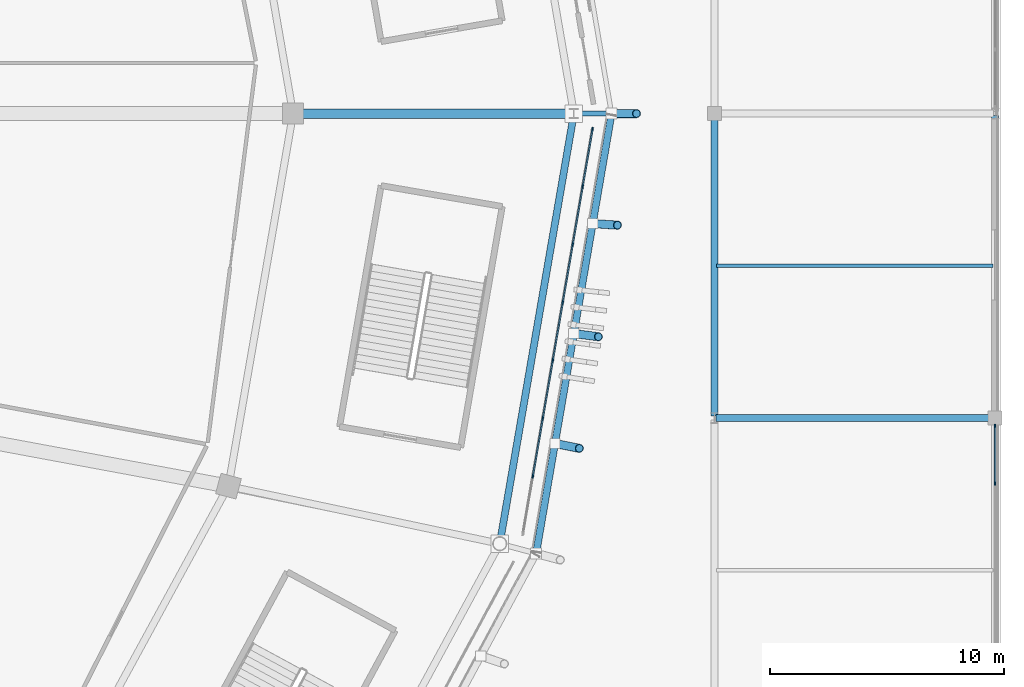
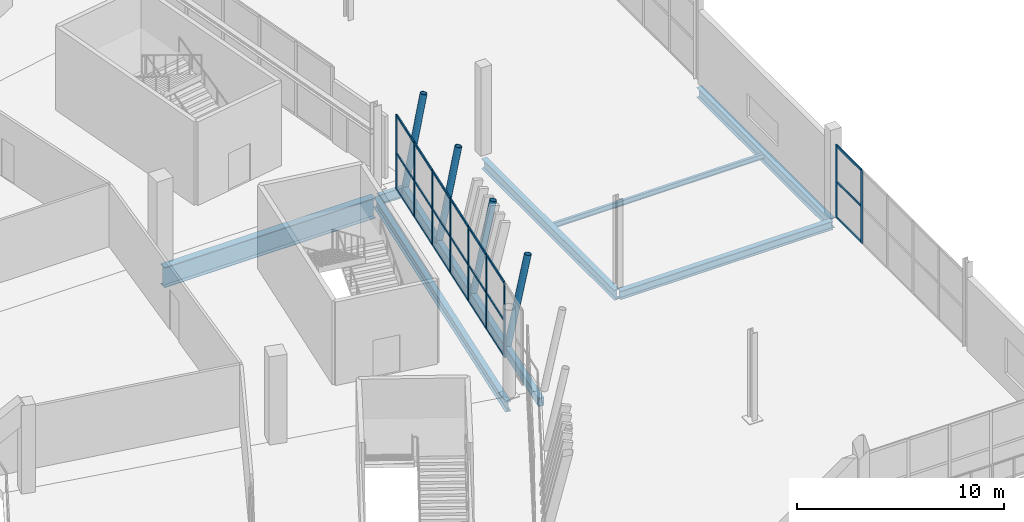
# One storey, part 64 of 178: 34 members, 8 beams, 2 elements without a shape of their own.
"""IFC4 building model written with IfcOpenShell, lengths in metres."""

from ifc_helpers import new_model, si_unit, direction, frame, origin, origin_2d, place, context, subcontext, project, spatial, rectangle, hollow_rectangle, hollow_circle, i_section, extrude, material, material_profile, profile_set, type_object, element, aggregate, save


model = new_model("IFC4")

# Units and contexts
model_context = context("Model", 3, precision=1e-05, world=origin(), true_north=direction((0.0, 1.0)))
body_context = subcontext(model_context, "Body", "Model", "MODEL_VIEW")
ifc_project = project(units=[si_unit("LENGTHUNIT", "METRE"), si_unit("AREAUNIT", "SQUARE_METRE"), si_unit("VOLUMEUNIT", "CUBIC_METRE"), si_unit("PLANEANGLEUNIT", "RADIAN"), si_unit("MASSUNIT", "GRAM", prefix="KILO")], contexts=[model_context])

# Site, building, storey
site_placement = place(None, origin())
site = spatial("IfcSite", under=ifc_project, at=site_placement, CompositionType="ELEMENT")
building_placement = place(site_placement, origin())
building = spatial("IfcBuilding", under=site, at=building_placement, Name="Zlatoyarsky Gate Stadium", CompositionType="ELEMENT")
storey_placement = place(building_placement, frame((0.0, 0.0, 5.39990234375)))
storey = spatial("IfcBuildingStorey", under=building, at=storey_placement, Name="L01", CompositionType="ELEMENT", Elevation=5.39990234375)

# Curtain wall, members
ifc_material_1 = material(Name="Thermally broken anodised aluminium curtain wall", Category="aluminium")
curtain_wall_type_1 = type_object("IfcCurtainWallType", Name="UNITISED HOSPITALITY GLAZING L01", PredefinedType="USERDEFINED", material=ifc_material_1)
curtain_wall_1_placement = place(storey_placement, origin())
curtain_wall_1 = element("IfcCurtainWall", 1, at=curtain_wall_1_placement, inside=storey, type_object=curtain_wall_type_1, Name="Curtain wall CW-L01-23", ObjectType="UNITISED GLAZING", PredefinedType="USERDEFINED")
ifc_material_2 = material(Name="Anodised aluminium 6063-T6", Category="aluminium")
ifc_material_profile_1 = material_profile(ifc_material_2, rectangle(XDim=0.06494140625, YDim=0.159912109375, at=origin_2d()), Name="ALU 65X160")
ifc_profile_set_1 = profile_set([ifc_material_profile_1], Name="Anodised aluminium 6063-T6")
member_type_1 = type_object("IfcMemberType", Name="ALUMINIUM MULLION 65X160", PredefinedType="MULLION", material=ifc_profile_set_1)
member_1_placement = place(storey_placement, frame((202.244384765625, 64.505126953125, 0.0), z_axis=(0.0, 0.0, 1.0), x_axis=(-0.985538549547, 0.169451371657, 0.0)))
member_1 = element("IfcMember", 2, at=member_1_placement, type_object=member_type_1, Name="CW-UG1 mullion 2", PredefinedType="MULLION", context=body_context, shape_type="SweptSolid", body=[
    extrude(rectangle(XDim=0.06494140625, YDim=0.159912109375, at=origin_2d()), origin(), (0.0, 0.0, 1.0), 4.400146484375),
])
member_2_placement = place(storey_placement, frame((202.669921875, 66.980712890625, 0.0), z_axis=(0.0, 0.0, 1.0), x_axis=(-0.985538549547, 0.169451371657, 0.0)))
member_2 = element("IfcMember", 3, at=member_2_placement, type_object=member_type_1, Name="CW-UG1 mullion 3", PredefinedType="MULLION", context=body_context, shape_type="SweptSolid", body=[
    extrude(rectangle(XDim=0.06494140625, YDim=0.159912109375, at=origin_2d()), origin(), (0.0, 0.0, 1.0), 4.400146484375),
])
member_3_placement = place(storey_placement, frame((203.095703125, 69.45654296875, 0.0), z_axis=(0.0, 0.0, 1.0), x_axis=(-0.985538549547, 0.169451371657, 0.0)))
member_3 = element("IfcMember", 4, at=member_3_placement, type_object=member_type_1, Name="CW-UG1 mullion 4", PredefinedType="MULLION", context=body_context, shape_type="SweptSolid", body=[
    extrude(rectangle(XDim=0.06494140625, YDim=0.159912109375, at=origin_2d()), origin(), (0.0, 0.0, 1.0), 4.400146484375),
])
member_4_placement = place(storey_placement, frame((203.521484375, 71.93212890625, 0.0), z_axis=(0.0, 0.0, 1.0), x_axis=(-0.985538549547, 0.169451371657, 0.0)))
member_4 = element("IfcMember", 5, at=member_4_placement, type_object=member_type_1, Name="CW-UG1 mullion 5", PredefinedType="MULLION", context=body_context, shape_type="SweptSolid", body=[
    extrude(rectangle(XDim=0.06494140625, YDim=0.159912109375, at=origin_2d()), origin(), (0.0, 0.0, 1.0), 4.400146484375),
])
member_5_placement = place(storey_placement, frame((203.947021484375, 74.407958984375, 0.0), z_axis=(0.0, 0.0, 1.0), x_axis=(-0.985538549547, 0.169451371657, 0.0)))
member_5 = element("IfcMember", 6, at=member_5_placement, type_object=member_type_1, Name="CW-UG1 mullion 6", PredefinedType="MULLION", context=body_context, shape_type="SweptSolid", body=[
    extrude(rectangle(XDim=0.06494140625, YDim=0.159912109375, at=origin_2d()), origin(), (0.0, 0.0, 1.0), 4.400146484375),
])
member_6_placement = place(storey_placement, frame((204.372802734375, 76.8837890625, 0.0), z_axis=(0.0, 0.0, 1.0), x_axis=(-0.985538549547, 0.169451371657, 0.0)))
member_6 = element("IfcMember", 7, at=member_6_placement, type_object=member_type_1, Name="CW-UG1 mullion 7", PredefinedType="MULLION", context=body_context, shape_type="SweptSolid", body=[
    extrude(rectangle(XDim=0.06494140625, YDim=0.159912109375, at=origin_2d()), origin(), (0.0, 0.0, 1.0), 4.400146484375),
])
member_7_placement = place(storey_placement, frame((204.79296875, 79.327392578125, 0.0), z_axis=(0.0, 0.0, 1.0), x_axis=(-0.985538549547, 0.169451371657, 0.0)))
member_7 = element("IfcMember", 8, at=member_7_placement, type_object=member_type_1, Name="CW-UG1 mullion 8", PredefinedType="MULLION", context=body_context, shape_type="SweptSolid", body=[
    extrude(rectangle(XDim=0.06494140625, YDim=0.159912109375, at=origin_2d()), origin(), (0.0, 0.0, 1.0), 4.400146484375),
])

curtain_wall_type_2 = type_object("IfcCurtainWallType", Name="WINTER GARDEN CONSERVATORY GLAZING", PredefinedType="USERDEFINED", material=ifc_material_1)
curtain_wall_2_placement = place(storey_placement, origin())
curtain_wall_2 = element("IfcCurtainWall", 9, at=curtain_wall_2_placement, inside=storey, type_object=curtain_wall_type_2, Name="Curtain wall CW-V5_EAST-L01-180", ObjectType="UNITISED GLAZING", PredefinedType="USERDEFINED")
member_8_placement = place(storey_placement, frame((222.0, 64.19775390625, 0.0), z_axis=(0.0, 0.0, 1.0), x_axis=(-1.0, 0.0, 0.0)))
member_8 = element("IfcMember", 10, at=member_8_placement, type_object=member_type_1, Name="CW-WG1 mullion 5", PredefinedType="MULLION", context=body_context, shape_type="SweptSolid", body=[
    extrude(rectangle(XDim=0.06494140625, YDim=0.159912109375, at=origin_2d()), origin(), (0.0, 0.0, 1.0), 4.300048828125),
])
member_9_placement = place(storey_placement, frame((222.0, 66.655517578125, 0.0), z_axis=(0.0, 0.0, 1.0), x_axis=(-1.0, 0.0, 0.0)))
member_9 = element("IfcMember", 11, at=member_9_placement, type_object=member_type_1, Name="CW-WG1 mullion 6", PredefinedType="MULLION", context=body_context, shape_type="SweptSolid", body=[
    extrude(rectangle(XDim=0.06494140625, YDim=0.159912109375, at=origin_2d()), origin(), (0.0, 0.0, 1.0), 4.300048828125),
])

# Member
ifc_material_profile_2 = material_profile(ifc_material_2, rectangle(XDim=0.06494140625, YDim=0.139892578125, at=origin_2d()), Name="ALU 65X140")
ifc_profile_set_2 = profile_set([ifc_material_profile_2], Name="Anodised aluminium 6063-T6")
member_type_2 = type_object("IfcMemberType", Name="ALUMINIUM TRANSOM 65X140", PredefinedType="USERDEFINED", material=ifc_profile_set_2)
member_10_placement = place(storey_placement, frame((202.25, 64.537109375, 0.03271484375), z_axis=(0.169412414393, 0.985545246982, 0.0), x_axis=(-0.985545246982, 0.169412414393, 0.0)))
member_10 = element("IfcMember", 12, at=member_10_placement, type_object=member_type_2, Name="CW-UG1 transom 2.1", ObjectType="TRANSOM", PredefinedType="USERDEFINED", context=body_context, shape_type="SweptSolid", body=[
    extrude(rectangle(XDim=0.06494140625, YDim=0.139892578125, at=origin_2d()), origin(), (0.0, 0.0, 1.0), 2.447021484375),
])

member_11_placement = place(storey_placement, frame((202.25, 64.537109375, 2.150146484375), z_axis=(0.169412414393, 0.985545246982, 0.0), x_axis=(-0.985545246982, 0.169412414393, 0.0)))
member_11 = element("IfcMember", 13, at=member_11_placement, type_object=member_type_2, Name="CW-UG1 transom 2.2", ObjectType="TRANSOM", PredefinedType="USERDEFINED", context=body_context, shape_type="SweptSolid", body=[
    extrude(rectangle(XDim=0.06494140625, YDim=0.139892578125, at=origin_2d()), origin(), (0.0, 0.0, 1.0), 2.447021484375),
])

member_12_placement = place(storey_placement, frame((202.25, 64.537109375, 4.36767578125), z_axis=(0.169412414393, 0.985545246982, 0.0), x_axis=(-0.985545246982, 0.169412414393, 0.0)))
member_12 = element("IfcMember", 14, at=member_12_placement, type_object=member_type_2, Name="CW-UG1 transom 2.3", ObjectType="TRANSOM", PredefinedType="USERDEFINED", context=body_context, shape_type="SweptSolid", body=[
    extrude(rectangle(XDim=0.06494140625, YDim=0.139892578125, at=origin_2d()), origin(), (0.0, 0.0, 1.0), 2.447021484375),
])

member_13_placement = place(storey_placement, frame((202.675537109375, 67.0126953125, 0.03271484375), z_axis=(0.169395757758, 0.985548110065, 0.0), x_axis=(-0.985548110065, 0.169395757758, 0.0)))
member_13 = element("IfcMember", 15, at=member_13_placement, type_object=member_type_2, Name="CW-UG1 transom 3.1", ObjectType="TRANSOM", PredefinedType="USERDEFINED", context=body_context, shape_type="SweptSolid", body=[
    extrude(rectangle(XDim=0.06494140625, YDim=0.139892578125, at=origin_2d()), origin(), (0.0, 0.0, 1.0), 2.447265625),
])

member_14_placement = place(storey_placement, frame((202.675537109375, 67.0126953125, 2.150146484375), z_axis=(0.169395757758, 0.985548110065, 0.0), x_axis=(-0.985548110065, 0.169395757758, 0.0)))
member_14 = element("IfcMember", 16, at=member_14_placement, type_object=member_type_2, Name="CW-UG1 transom 3.2", ObjectType="TRANSOM", PredefinedType="USERDEFINED", context=body_context, shape_type="SweptSolid", body=[
    extrude(rectangle(XDim=0.06494140625, YDim=0.139892578125, at=origin_2d()), origin(), (0.0, 0.0, 1.0), 2.447265625),
])

member_15_placement = place(storey_placement, frame((202.675537109375, 67.0126953125, 4.36767578125), z_axis=(0.169395757758, 0.985548110065, 0.0), x_axis=(-0.985548110065, 0.169395757758, 0.0)))
member_15 = element("IfcMember", 17, at=member_15_placement, type_object=member_type_2, Name="CW-UG1 transom 3.3", ObjectType="TRANSOM", PredefinedType="USERDEFINED", context=body_context, shape_type="SweptSolid", body=[
    extrude(rectangle(XDim=0.06494140625, YDim=0.139892578125, at=origin_2d()), origin(), (0.0, 0.0, 1.0), 2.447265625),
])

member_16_placement = place(storey_placement, frame((203.101318359375, 69.488525390625, 0.03271484375), z_axis=(0.169412414393, 0.985545246982, 0.0), x_axis=(-0.985545246982, 0.169412414393, 0.0)))
member_16 = element("IfcMember", 18, at=member_16_placement, type_object=member_type_2, Name="CW-UG1 transom 4.1", ObjectType="TRANSOM", PredefinedType="USERDEFINED", context=body_context, shape_type="SweptSolid", body=[
    extrude(rectangle(XDim=0.06494140625, YDim=0.139892578125, at=origin_2d()), origin(), (0.0, 0.0, 1.0), 2.447021484375),
])

member_17_placement = place(storey_placement, frame((203.101318359375, 69.488525390625, 2.150146484375), z_axis=(0.169412414393, 0.985545246982, 0.0), x_axis=(-0.985545246982, 0.169412414393, 0.0)))
member_17 = element("IfcMember", 19, at=member_17_placement, type_object=member_type_2, Name="CW-UG1 transom 4.2", ObjectType="TRANSOM", PredefinedType="USERDEFINED", context=body_context, shape_type="SweptSolid", body=[
    extrude(rectangle(XDim=0.06494140625, YDim=0.139892578125, at=origin_2d()), origin(), (0.0, 0.0, 1.0), 2.447021484375),
])

member_18_placement = place(storey_placement, frame((203.101318359375, 69.488525390625, 4.36767578125), z_axis=(0.169412414393, 0.985545246982, 0.0), x_axis=(-0.985545246982, 0.169412414393, 0.0)))
member_18 = element("IfcMember", 20, at=member_18_placement, type_object=member_type_2, Name="CW-UG1 transom 4.3", ObjectType="TRANSOM", PredefinedType="USERDEFINED", context=body_context, shape_type="SweptSolid", body=[
    extrude(rectangle(XDim=0.06494140625, YDim=0.139892578125, at=origin_2d()), origin(), (0.0, 0.0, 1.0), 2.447021484375),
])

member_19_placement = place(storey_placement, frame((203.52685546875, 71.96435546875, 0.03271484375), z_axis=(0.16950932017, 0.985528584251, 0.0), x_axis=(-0.985528584251, 0.16950932017, 0.0)))
member_19 = element("IfcMember", 21, at=member_19_placement, type_object=member_type_2, Name="CW-UG1 transom 5.1", ObjectType="TRANSOM", PredefinedType="USERDEFINED", context=body_context, shape_type="SweptSolid", body=[
    extrude(rectangle(XDim=0.06494140625, YDim=0.139892578125, at=origin_2d()), origin(), (0.0, 0.0, 1.0), 2.447021484375),
])

member_20_placement = place(storey_placement, frame((203.52685546875, 71.96435546875, 2.150146484375), z_axis=(0.16950932017, 0.985528584251, 0.0), x_axis=(-0.985528584251, 0.16950932017, 0.0)))
member_20 = element("IfcMember", 22, at=member_20_placement, type_object=member_type_2, Name="CW-UG1 transom 5.2", ObjectType="TRANSOM", PredefinedType="USERDEFINED", context=body_context, shape_type="SweptSolid", body=[
    extrude(rectangle(XDim=0.06494140625, YDim=0.139892578125, at=origin_2d()), origin(), (0.0, 0.0, 1.0), 2.447021484375),
])

member_21_placement = place(storey_placement, frame((203.52685546875, 71.96435546875, 4.36767578125), z_axis=(0.16950932017, 0.985528584251, 0.0), x_axis=(-0.985528584251, 0.16950932017, 0.0)))
member_21 = element("IfcMember", 23, at=member_21_placement, type_object=member_type_2, Name="CW-UG1 transom 5.3", ObjectType="TRANSOM", PredefinedType="USERDEFINED", context=body_context, shape_type="SweptSolid", body=[
    extrude(rectangle(XDim=0.06494140625, YDim=0.139892578125, at=origin_2d()), origin(), (0.0, 0.0, 1.0), 2.447021484375),
])

member_22_placement = place(storey_placement, frame((203.95263671875, 74.43994140625, 0.03271484375), z_axis=(0.169412414393, 0.985545246982, 0.0), x_axis=(-0.985545246982, 0.169412414393, 0.0)))
member_22 = element("IfcMember", 24, at=member_22_placement, type_object=member_type_2, Name="CW-UG1 transom 6.1", ObjectType="TRANSOM", PredefinedType="USERDEFINED", context=body_context, shape_type="SweptSolid", body=[
    extrude(rectangle(XDim=0.06494140625, YDim=0.139892578125, at=origin_2d()), origin(), (0.0, 0.0, 1.0), 2.447021484375),
])

member_23_placement = place(storey_placement, frame((203.95263671875, 74.43994140625, 2.150146484375), z_axis=(0.169412414393, 0.985545246982, 0.0), x_axis=(-0.985545246982, 0.169412414393, 0.0)))
member_23 = element("IfcMember", 25, at=member_23_placement, type_object=member_type_2, Name="CW-UG1 transom 6.2", ObjectType="TRANSOM", PredefinedType="USERDEFINED", context=body_context, shape_type="SweptSolid", body=[
    extrude(rectangle(XDim=0.06494140625, YDim=0.139892578125, at=origin_2d()), origin(), (0.0, 0.0, 1.0), 2.447021484375),
])

member_24_placement = place(storey_placement, frame((203.95263671875, 74.43994140625, 4.36767578125), z_axis=(0.169412414393, 0.985545246982, 0.0), x_axis=(-0.985545246982, 0.169412414393, 0.0)))
member_24 = element("IfcMember", 26, at=member_24_placement, type_object=member_type_2, Name="CW-UG1 transom 6.3", ObjectType="TRANSOM", PredefinedType="USERDEFINED", context=body_context, shape_type="SweptSolid", body=[
    extrude(rectangle(XDim=0.06494140625, YDim=0.139892578125, at=origin_2d()), origin(), (0.0, 0.0, 1.0), 2.447021484375),
])

member_25_placement = place(storey_placement, frame((204.378173828125, 76.915771484375, 0.03271484375), z_axis=(0.16946333851, 0.985536491918, 0.0), x_axis=(-0.985536491918, 0.16946333851, 0.0)))
member_25 = element("IfcMember", 27, at=member_25_placement, type_object=member_type_2, Name="CW-UG1 transom 7.1", ObjectType="TRANSOM", PredefinedType="USERDEFINED", context=body_context, shape_type="SweptSolid", body=[
    extrude(rectangle(XDim=0.06494140625, YDim=0.139892578125, at=origin_2d()), origin(), (0.0, 0.0, 1.0), 2.41455078125),
])

member_26_placement = place(storey_placement, frame((204.378173828125, 76.915771484375, 2.150146484375), z_axis=(0.16946333851, 0.985536491918, 0.0), x_axis=(-0.985536491918, 0.16946333851, 0.0)))
member_26 = element("IfcMember", 28, at=member_26_placement, type_object=member_type_2, Name="CW-UG1 transom 7.2", ObjectType="TRANSOM", PredefinedType="USERDEFINED", context=body_context, shape_type="SweptSolid", body=[
    extrude(rectangle(XDim=0.06494140625, YDim=0.139892578125, at=origin_2d()), origin(), (0.0, 0.0, 1.0), 2.41455078125),
])

member_27_placement = place(storey_placement, frame((204.378173828125, 76.915771484375, 4.36767578125), z_axis=(0.16946333851, 0.985536491918, 0.0), x_axis=(-0.985536491918, 0.16946333851, 0.0)))
member_27 = element("IfcMember", 29, at=member_27_placement, type_object=member_type_2, Name="CW-UG1 transom 7.3", ObjectType="TRANSOM", PredefinedType="USERDEFINED", context=body_context, shape_type="SweptSolid", body=[
    extrude(rectangle(XDim=0.06494140625, YDim=0.139892578125, at=origin_2d()), origin(), (0.0, 0.0, 1.0), 2.41455078125),
])

aggregate(curtain_wall_1, [member_1, member_2, member_3, member_4, member_5, member_6, member_7, member_10, member_11, member_12, member_13, member_14, member_15, member_16, member_17, member_18, member_19, member_20, member_21, member_22, member_23, member_24, member_25, member_26, member_27])

member_28_placement = place(storey_placement, frame((222.0, 64.230224609375, 0.03271484375), z_axis=(0.0, 1.0, 0.0), x_axis=(-1.0, 0.0, 0.0)))
member_28 = element("IfcMember", 30, at=member_28_placement, type_object=member_type_2, Name="CW-WG1 transom 5.1", ObjectType="TRANSOM", PredefinedType="USERDEFINED", context=body_context, shape_type="SweptSolid", body=[
    extrude(rectangle(XDim=0.06494140625, YDim=0.139892578125, at=origin_2d()), origin(), (0.0, 0.0, 1.0), 2.392822265625),
])

member_29_placement = place(storey_placement, frame((222.0, 64.230224609375, 2.150146484375), z_axis=(0.0, 1.0, 0.0), x_axis=(-1.0, 0.0, 0.0)))
member_29 = element("IfcMember", 31, at=member_29_placement, type_object=member_type_2, Name="CW-WG1 transom 5.2", ObjectType="TRANSOM", PredefinedType="USERDEFINED", context=body_context, shape_type="SweptSolid", body=[
    extrude(rectangle(XDim=0.06494140625, YDim=0.139892578125, at=origin_2d()), origin(), (0.0, 0.0, 1.0), 2.392822265625),
])

member_30_placement = place(storey_placement, frame((222.0, 64.230224609375, 4.267578125), z_axis=(0.0, 1.0, 0.0), x_axis=(-1.0, 0.0, 0.0)))
member_30 = element("IfcMember", 32, at=member_30_placement, type_object=member_type_2, Name="CW-WG1 transom 5.3", ObjectType="TRANSOM", PredefinedType="USERDEFINED", context=body_context, shape_type="SweptSolid", body=[
    extrude(rectangle(XDim=0.06494140625, YDim=0.139892578125, at=origin_2d()), origin(), (0.0, 0.0, 1.0), 2.392822265625),
])

aggregate(curtain_wall_2, [member_8, member_9, member_28, member_29, member_30])

# Beam
ifc_material_3 = material(Name="Steel S355", Category="steel")
ifc_material_profile_3 = material_profile(ifc_material_3, i_section(OverallWidth=0.219970703125, OverallDepth=0.60009765625, WebThickness=0.011962890625, FlangeThickness=0.01904296875, FilletRadius=0.02392578125, at=origin_2d()), Name="IPE 600")
ifc_profile_set_3 = profile_set([ifc_material_profile_3], Name="Steel S355")
beam_type_1 = type_object("IfcBeamType", Name="STEEL CANTILEVER FLOOR BEAM IPE 600", PredefinedType="BEAM", material=ifc_profile_set_3)
beam_1_placement = place(storey_placement, frame((204.1201171875, 80.0, -0.760009765625), z_axis=(1.0, 0.0, 0.0), x_axis=(0.0, 1.0, 0.0)))
element("IfcBeam", 33, at=beam_1_placement, inside=storey, type_object=beam_type_1, Name="Beam B-IPE600 BM-L01-OUT-00", PredefinedType="BEAM", context=body_context, shape_type="SweptSolid", body=[
    extrude(i_section(OverallWidth=0.219970703125, OverallDepth=0.60009765625, WebThickness=0.011962890625, FlangeThickness=0.01904296875, FilletRadius=0.02392578125, at=origin_2d()), origin(), (0.0, 0.0, 1.0), 1.48828125),
])

# Members
ifc_material_profile_4 = material_profile(ifc_material_3, hollow_circle(Radius=0.177734375, WallThickness=0.02001953125, at=origin_2d()), Name="CHS 355.6X20")
ifc_profile_set_4 = profile_set([ifc_material_profile_4], Name="Steel S355")
member_type_3 = type_object("IfcMemberType", Name="STEEL LEANING RIB RING STRUT CHS 355.6X20", PredefinedType="STRUT", material=ifc_profile_set_4)
member_31_placement = place(storey_placement, frame((205.6083984375, 80.0, -0.760009765625), z_axis=(0.19460082495, 0.0, 0.980882520452), x_axis=(0.0, 1.0, 0.0)))
element("IfcMember", 34, at=member_31_placement, inside=storey, type_object=member_type_3, Name="Leaning ring strut 00 L01 to L02", PredefinedType="STRUT", context=body_context, shape_type="SweptSolid", body=[
    extrude(hollow_circle(Radius=0.177734375, WallThickness=0.02001953125, at=origin_2d()), origin(), (0.0, 0.0, 1.0), 5.485107421875),
])
member_32_placement = place(storey_placement, frame((203.190673828125, 65.905517578125, -0.7099609375), z_axis=(0.189662165152, -0.03775434649, 0.981123270762), x_axis=(0.195230575427, 0.98075737184, 0.0)))
element("IfcMember", 35, at=member_32_placement, inside=storey, type_object=member_type_3, Name="Outward-leaning bowl louvre fin rib L01 23-1", PredefinedType="STRUT", context=body_context, shape_type="SweptSolid", body=[
    extrude(hollow_circle(Radius=0.177734375, WallThickness=0.02001953125, at=origin_2d()), origin(), (0.0, 0.0, 1.0), 5.483642578125),
])
member_33_placement = place(storey_placement, frame((203.99658203125, 70.603759765625, -0.7099609375), z_axis=(0.191367936327, -0.025201082355, 0.981194791259), x_axis=(0.130561919254, 0.991440157166, 0.0)))
element("IfcMember", 36, at=member_33_placement, inside=storey, type_object=member_type_3, Name="Outward-leaning bowl louvre fin rib L01 23-2", PredefinedType="STRUT", context=body_context, shape_type="SweptSolid", body=[
    extrude(hollow_circle(Radius=0.177734375, WallThickness=0.02001953125, at=origin_2d()), origin(), (0.0, 0.0, 1.0), 5.483154296875),
])
member_34_placement = place(storey_placement, frame((204.802490234375, 75.302001953125, -0.7099609375), z_axis=(0.193000214699, -0.012599552655, 0.981117815759), x_axis=(0.065143915527, 0.99787587919, 0.0)))
element("IfcMember", 37, at=member_34_placement, inside=storey, type_object=member_type_3, Name="Outward-leaning bowl louvre fin rib L01 23-3", PredefinedType="STRUT", context=body_context, shape_type="SweptSolid", body=[
    extrude(hollow_circle(Radius=0.177734375, WallThickness=0.02001953125, at=origin_2d()), origin(), (0.0, 0.0, 1.0), 5.483642578125),
])

# Beams
ifc_material_profile_5 = material_profile(ifc_material_3, hollow_rectangle(XDim=0.300048828125, YDim=0.5, WallThickness=0.02001953125, at=origin_2d()), Name="RHS 500X300X20")
ifc_profile_set_5 = profile_set([ifc_material_profile_5], Name="Steel S355")
beam_type_2 = type_object("IfcBeamType", Name="STEEL LOUVRE CARRIER SPANDREL RHS 500X300X20", PredefinedType="SPANDREL", material=ifc_profile_set_5)
beam_2_placement = place(storey_placement, frame((202.38818359375, 61.227294921875, -0.7099609375), z_axis=(0.169066383905, 0.985604666098, 0.0), x_axis=(-0.985604666098, 0.169066383905, 0.0)))
element("IfcBeam", 38, at=beam_2_placement, inside=storey, type_object=beam_type_2, Name="Beam SP-RHS500 BM-L01-SPD-23", PredefinedType="SPANDREL", context=body_context, shape_type="SweptSolid", body=[
    extrude(hollow_rectangle(XDim=0.300048828125, YDim=0.5, WallThickness=0.02001953125, at=origin_2d()), origin(), (0.0, 0.0, 1.0), 19.02685546875),
])
ifc_material_profile_6 = material_profile(ifc_material_3, i_section(OverallWidth=0.39990234375, OverallDepth=1.199951171875, WebThickness=0.02001953125, FlangeThickness=0.035888671875, at=origin_2d()), Name="PG 1200X400")
ifc_profile_set_6 = profile_set([ifc_material_profile_6], Name="Steel S355")
beam_type_3 = type_object("IfcBeamType", Name="STEEL PORTAL TRANSFER GIRDER PG 1200X400", PredefinedType="BEAM", material=ifc_profile_set_6)
beam_3_placement = place(storey_placement, frame((192.1201171875, 80.0, -1.059814453125), z_axis=(1.0, 0.0, 0.0), x_axis=(0.0, 1.0, 0.0)))
element("IfcBeam", 39, at=beam_3_placement, inside=storey, type_object=beam_type_3, Name="Beam G-PG1200 BM-L01-RBC-00", PredefinedType="BEAM", context=body_context, shape_type="SweptSolid", body=[
    extrude(i_section(OverallWidth=0.39990234375, OverallDepth=1.199951171875, WebThickness=0.02001953125, FlangeThickness=0.035888671875, at=origin_2d()), origin(), (0.0, 0.0, 1.0), 11.759765625),
])
ifc_material_profile_7 = material_profile(ifc_material_3, i_section(OverallWidth=0.300048828125, OverallDepth=0.5, WebThickness=0.014404296875, FlangeThickness=0.028076171875, FilletRadius=0.027099609375, at=origin_2d()), Name="HEB 500")
ifc_profile_set_7 = profile_set([ifc_material_profile_7], Name="Steel S355")
beam_type_4 = type_object("IfcBeamType", Name="STEEL PRIMARY GIRDER HEB 500", PredefinedType="BEAM", material=ifc_profile_set_7)
beam_4_placement = place(storey_placement, frame((210.080078125, 67.0, -0.5498046875), z_axis=(1.0, 0.0, 0.0), x_axis=(0.0, 1.0, 0.0)))
element("IfcBeam", 40, at=beam_4_placement, inside=storey, type_object=beam_type_4, Name="Beam G-HEB500 BM-L01-WGX-18-G", PredefinedType="BEAM", context=body_context, shape_type="SweptSolid", body=[
    extrude(i_section(OverallWidth=0.300048828125, OverallDepth=0.5, WebThickness=0.014404296875, FlangeThickness=0.028076171875, FilletRadius=0.027099609375, at=origin_2d()), origin(), (0.0, 0.0, 1.0), 11.83984375),
])
ifc_material_profile_8 = material_profile(ifc_material_3, i_section(OverallWidth=0.300048828125, OverallDepth=0.60009765625, WebThickness=0.015380859375, FlangeThickness=0.030029296875, FilletRadius=0.027099609375, at=origin_2d()), Name="HEB 600")
ifc_profile_set_8 = profile_set([ifc_material_profile_8], Name="Steel S355")
beam_type_5 = type_object("IfcBeamType", Name="STEEL PRIMARY GIRDER HEB 600", PredefinedType="BEAM", material=ifc_profile_set_8)
beam_5_placement = place(storey_placement, frame((200.8515625, 61.7421875, -0.760009765625), z_axis=(0.169930456666, 0.985456056807, 0.0), x_axis=(-0.985456056807, 0.169930456666, 0.0)))
element("IfcBeam", 41, at=beam_5_placement, inside=storey, type_object=beam_type_5, Name="Beam G-HEB600 BM-L01-CRC-23", PredefinedType="BEAM", context=body_context, shape_type="SweptSolid", body=[
    extrude(i_section(OverallWidth=0.300048828125, OverallDepth=0.60009765625, WebThickness=0.015380859375, FlangeThickness=0.030029296875, FilletRadius=0.027099609375, at=origin_2d()), origin(), (0.0, 0.0, 1.0), 18.4072265625),
])
for number, where, z_axis, x_axis, name in (
    (42, (210.0, 67.080078125, -0.599853515625), (0.0, 1.0, 0.0), (-1.0, 0.0, 0.0), "Beam G-HEB600 BM-L01-WGY-18-G"),
    (43, (222.0, 67.080078125, -0.599853515625), (0.0, 1.0, 0.0), (-1.0, 0.0, 0.0), "Beam G-HEB600 BM-L01-WGY-19-G"),
):
    element("IfcBeam", number, at=place(storey_placement, frame(where, z_axis=z_axis, x_axis=x_axis)), inside=storey, type_object=beam_type_5, Name=name, PredefinedType="BEAM", context=body_context, shape_type="SweptSolid", body=[
        extrude(i_section(OverallWidth=0.300048828125, OverallDepth=0.60009765625, WebThickness=0.015380859375, FlangeThickness=0.030029296875, FilletRadius=0.027099609375, at=origin_2d()), origin(), (0.0, 0.0, 1.0), 12.83984375),
    ])
ifc_material_profile_9 = material_profile(ifc_material_3, i_section(OverallWidth=0.14990234375, OverallDepth=0.300048828125, WebThickness=0.007080078125, FlangeThickness=0.0107421875, FilletRadius=0.014892578125, at=origin_2d()), Name="IPE 300")
ifc_profile_set_9 = profile_set([ifc_material_profile_9], Name="Steel S355")
beam_type_6 = type_object("IfcBeamType", Name="STEEL SECONDARY JOIST IPE 300", PredefinedType="JOIST", material=ifc_profile_set_9)
beam_6_placement = place(storey_placement, frame((210.090087890625, 73.5, -0.449951171875), z_axis=(1.0, 0.0, 0.0), x_axis=(0.0, 1.0, 0.0)))
element("IfcBeam", 44, at=beam_6_placement, inside=storey, type_object=beam_type_6, Name="Beam J-IPE300 JST-L01-18-G", PredefinedType="JOIST", context=body_context, shape_type="SweptSolid", body=[
    extrude(i_section(OverallWidth=0.14990234375, OverallDepth=0.300048828125, WebThickness=0.007080078125, FlangeThickness=0.0107421875, FilletRadius=0.014892578125, at=origin_2d()), origin(), (0.0, 0.0, 1.0), 11.81982421875),
])

save(model, "model.ifc")
